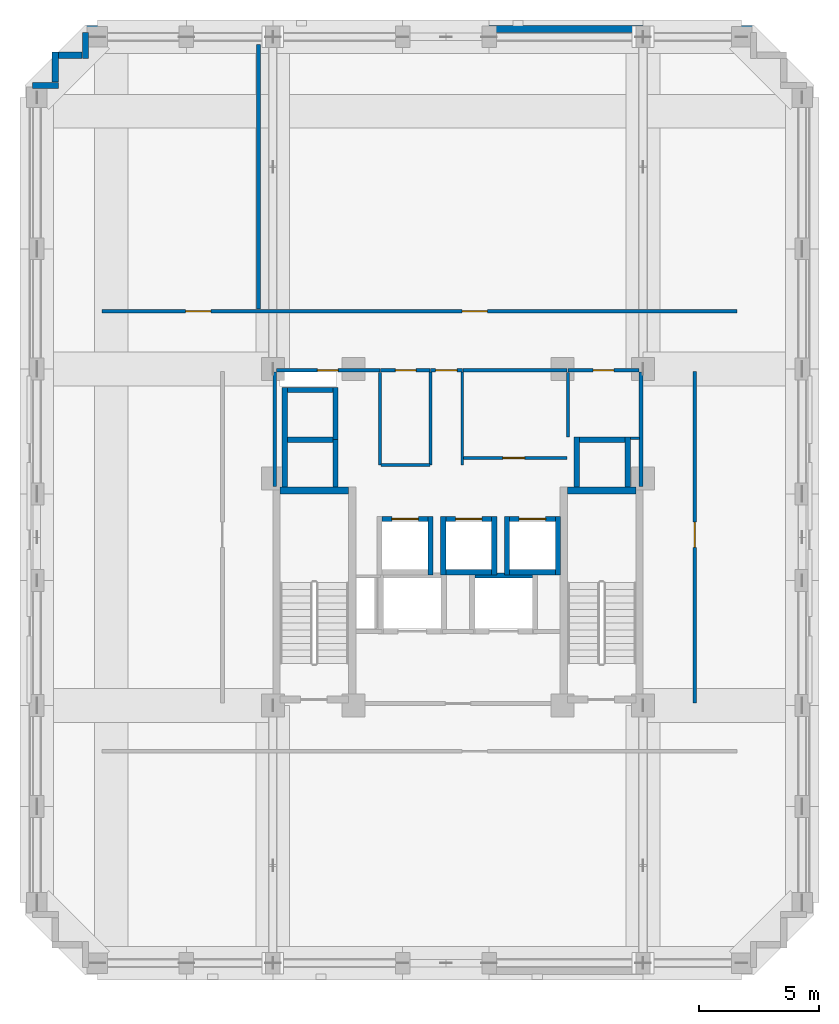
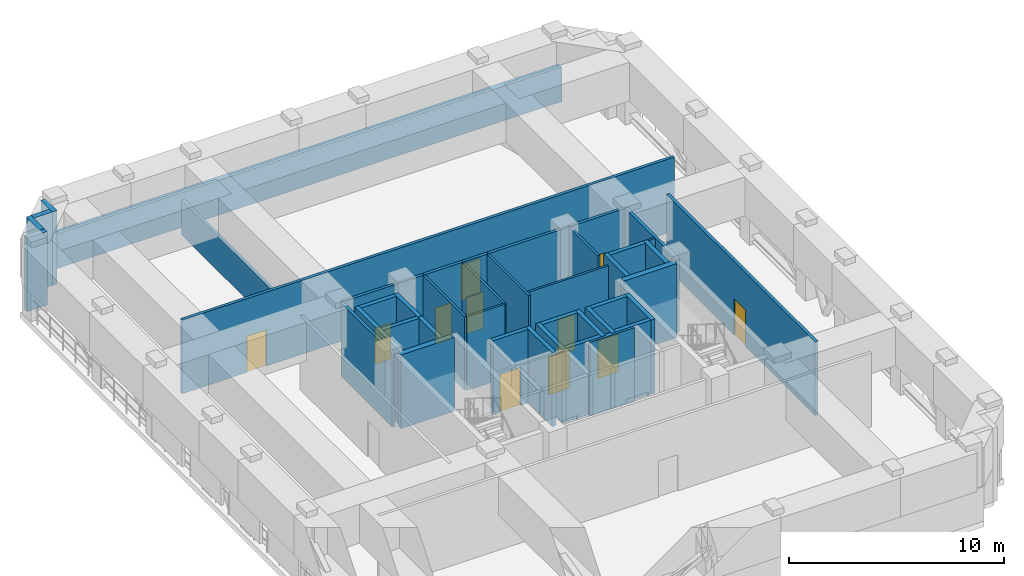
# One storey, part 4 of 12: 43 walls, 11 doors, 11 openings.
"""IFC4 building model written with IfcOpenShell, lengths in metres."""

from ifc_helpers import new_model, si_unit, derived_unit, direction, frame, frame_2d, origin, place, context, subcontext, project, spatial, rectangle, extrude, material, layer, layer_set, type_object, element, fill, save


model = new_model("IFC4")

# Units and contexts
model_context = context("Model", 3, precision=1e-05, world=origin(), true_north=direction((0.0, 1.0)))
body_context = subcontext(model_context, "Body", "Model", "MODEL_VIEW")
ifc_project = project(units=[si_unit("LENGTHUNIT", "METRE"), si_unit("AREAUNIT", "SQUARE_METRE"), si_unit("VOLUMEUNIT", "CUBIC_METRE"), si_unit("PLANEANGLEUNIT", "RADIAN"), si_unit("MASSUNIT", "GRAM", prefix="KILO"), derived_unit("THERMALTRANSMITTANCEUNIT", [(si_unit("MASSUNIT", "GRAM", prefix="KILO"), 1), (si_unit("TIMEUNIT", "SECOND"), -3), (si_unit("THERMODYNAMICTEMPERATUREUNIT", "KELVIN"), -1)])], contexts=[model_context])

# Site, building, storey
site_placement = place(None, origin())
site = spatial("IfcSite", under=ifc_project, at=site_placement, CompositionType="ELEMENT")
building_placement = place(site_placement, origin())
building = spatial("IfcBuilding", under=site, at=building_placement, Name="Korrvale Station Residences", CompositionType="ELEMENT")
storey_placement = place(building_placement, frame((0.0, 0.0, 169.89990234375)))
storey = spatial("IfcBuildingStorey", under=building, at=storey_placement, Name="L49", CompositionType="ELEMENT", Elevation=169.89990234375)

# Walls
ifc_material_1 = material(Name="Concrete C60/75", Category="concrete")
ifc_layer_1 = layer(ifc_material_1, 0.300048828125, Name="Concrete C60/75")
ifc_layer_set_1 = layer_set([ifc_layer_1], Name="Concrete C60/75")
wall_type_1 = type_object("IfcWallType", Name="WAL-CORE-300-C60", PredefinedType="SHEAR", material=ifc_layer_set_1)
for number, where, z_axis, x_axis, name in (
    (1, (18.10009765625, 23.949951171875, 0.0), (0.0, 0.0, 1.0), (1.0, 0.0, 0.0), "L49 ST-1 Core Shear Wall North"),
    (2, (30.050048828125, 23.949951171875, 0.0), (0.0, 0.0, 1.0), (1.0, 0.0, 0.0), "L49 ST-2 Core Shear Wall North"),
):
    element("IfcWall", number, at=place(storey_placement, frame(where, z_axis=z_axis, x_axis=x_axis)), inside=storey, type_object=wall_type_1, Name=name, PredefinedType="SHEAR", context=body_context, shape_type="SweptSolid", body=[
        extrude(rectangle(XDim=2.849853515625, YDim=0.300048828125, at=frame_2d((1.4248046875, 0.0))), origin(), (0.0, 0.0, 1.0), 4.18017578125),
    ])
ifc_material_2 = material(Name="Precast concrete C45/55", Category="concrete")
ifc_layer_2 = layer(ifc_material_2, 0.260009765625, Name="Precast concrete C45/55")
ifc_layer_set_2 = layer_set([ifc_layer_2], Name="Precast concrete C45/55")
wall_type_2 = type_object("IfcWallType", Name="WAL-EXT-LOG260", PredefinedType="SOLIDWALL", material=ifc_layer_set_2)
wall_1_placement = place(storey_placement, frame((7.802001953125, 40.800048828125, 0.0), z_axis=(0.0, 0.0, 1.0), x_axis=(1.0, 0.0, 0.0)))
element("IfcWall", 3, at=wall_1_placement, inside=storey, type_object=wall_type_2, Name="L49 Serrated Corner Precast Step NW-1", PredefinedType="SOLIDWALL", context=body_context, shape_type="SweptSolid", body=[
    extrude(rectangle(XDim=1.077880859375, YDim=0.260009765625, at=frame_2d((0.5390625, 0.0))), origin(), (0.0, 0.0, 1.0), 4.18017578125),
])
wall_2_placement = place(storey_placement, frame((8.75, 40.931884765625, 0.0), z_axis=(0.0, 0.0, 1.0), x_axis=(0.0, 1.0, 0.0)))
element("IfcWall", 4, at=wall_2_placement, inside=storey, type_object=wall_type_2, Name="L49 Serrated Corner Precast Step NW-2", PredefinedType="SOLIDWALL", context=body_context, shape_type="SweptSolid", body=[
    extrude(rectangle(XDim=1.248046875, YDim=0.260009765625, at=frame_2d((0.6240234375, 0.0))), origin(), (0.0, 0.0, 1.0), 4.18017578125),
])
wall_3_placement = place(storey_placement, frame((8.882080078125, 42.050048828125, 0.0), z_axis=(0.0, 0.0, 1.0), x_axis=(1.0, 0.0, 0.0)))
element("IfcWall", 5, at=wall_3_placement, inside=storey, type_object=wall_type_2, Name="L49 Serrated Corner Precast Step NW-3", PredefinedType="SOLIDWALL", context=body_context, shape_type="SweptSolid", body=[
    extrude(rectangle(XDim=0.98583984375, YDim=0.260009765625, at=frame_2d((0.492919921875, 0.0))), origin(), (0.0, 0.0, 1.0), 4.18017578125),
])
wall_4_placement = place(storey_placement, frame((10.0, 41.919921875, 0.0), z_axis=(0.0, 0.0, 1.0), x_axis=(0.0, 1.0, 0.0)))
element("IfcWall", 6, at=wall_4_placement, inside=storey, type_object=wall_type_2, Name="L49 Serrated Corner Precast Step NW-4", PredefinedType="SOLIDWALL", context=body_context, shape_type="SweptSolid", body=[
    extrude(rectangle(XDim=1.078125, YDim=0.260009765625, at=frame_2d((0.5390625, 0.0))), origin(), (0.0, 0.0, 1.0), 4.18017578125),
])
ifc_layer_3 = layer(ifc_material_2, 0.300048828125, Name="Precast concrete C45/55")
ifc_layer_set_3 = layer_set([ifc_layer_3], Name="Precast concrete C45/55")
wall_type_3 = type_object("IfcWallType", Name="WAL-EXT-PC300", PredefinedType="SOLIDWALL", material=ifc_layer_set_3)
wall_5_placement = place(storey_placement, frame((10.0, 43.14990234375, 0.0), z_axis=(0.0, 0.0, 1.0), x_axis=(1.0, 0.0, 0.0)))
element("IfcWall", 7, at=wall_5_placement, inside=storey, type_object=wall_type_3, Name="L49 North Exterior Precast Wall 1", PredefinedType="SOLIDWALL", context=body_context, shape_type="SweptSolid", body=[
    extrude(rectangle(XDim=27.800048828125, YDim=0.300048828125, at=frame_2d((13.89990234375, 0.0))), origin(), (0.0, 0.0, 1.0), 1.965087890625),
])
ifc_material_3 = material(Name="Acoustic steel-stud gypsum board partition", Category="steel")
ifc_layer_4 = layer(ifc_material_3, 0.1201171875, Name="Acoustic steel-stud gypsum board partition")
ifc_layer_set_4 = layer_set([ifc_layer_4], Name="Acoustic steel-stud gypsum board partition")
wall_type_4 = type_object("IfcWallType", Name="WAL-PART-125", PredefinedType="PARTITIONING", material=ifc_layer_set_4)
for number, where, z_axis, x_axis, name in (
    (8, (24.360107421875, 25.0, 0.0), (0.0, 0.0, 1.0), (0.0, 1.0, 0.0), "L49 Core Partition CW-PSG-W"),
    (9, (25.679931640625, 25.0, 0.0), (0.0, 0.0, 1.0), (0.0, 1.0, 0.0), "L49 Core Partition CW-PSG-E"),
):
    element("IfcWall", number, at=place(storey_placement, frame(where, z_axis=z_axis, x_axis=x_axis)), inside=storey, type_object=wall_type_4, Name=name, PredefinedType="PARTITIONING", context=body_context, shape_type="SweptSolid", body=[
        extrude(rectangle(XDim=3.8701171875, YDim=0.1201171875, at=frame_2d((1.93505859375, 0.0))), origin(), (0.0, 0.0, 1.0), 4.18017578125),
    ])
wall_6_placement = place(storey_placement, frame((30.080078125, 26.179931640625, 0.0), z_axis=(0.0, 0.0, 1.0), x_axis=(0.0, 1.0, 0.0)))
element("IfcWall", 10, at=wall_6_placement, inside=storey, type_object=wall_type_4, Name="L49 Core Partition CW-CS-W", PredefinedType="PARTITIONING", context=body_context, shape_type="SweptSolid", body=[
    extrude(rectangle(XDim=2.68017578125, YDim=0.1201171875, at=frame_2d((1.340087890625, 0.0))), origin(), (0.0, 0.0, 1.0), 4.18017578125),
])
wall_7_placement = place(storey_placement, frame((32.679931640625, 26.1201171875, 0.0), z_axis=(0.0, 0.0, 1.0), x_axis=(1.0, 0.0, 0.0)))
element("IfcWall", 11, at=wall_7_placement, inside=storey, type_object=wall_type_4, Name="L49 Core Partition CW-CS-S", PredefinedType="PARTITIONING", context=body_context, shape_type="SweptSolid", body=[
    extrude(rectangle(XDim=0.380126953125, YDim=0.1201171875, at=frame_2d((0.18994140625, 0.0))), origin(), (0.0, 0.0, 1.0), 4.18017578125),
])
wall_8_placement = place(storey_placement, frame((22.260009765625, 25.0, 0.0), z_axis=(0.0, 0.0, 1.0), x_axis=(0.0, 1.0, 0.0)))
element("IfcWall", 12, at=wall_8_placement, inside=storey, type_object=wall_type_4, Name="L49 Core Partition CW-FPLW-W", PredefinedType="PARTITIONING", context=body_context, shape_type="SweptSolid", body=[
    extrude(rectangle(XDim=3.860107421875, YDim=0.1201171875, at=frame_2d((1.93017578125, 0.0))), origin(), (0.0, 0.0, 1.0), 4.18017578125),
])
wall_9_placement = place(storey_placement, frame((22.300048828125, 25.0, 0.0), z_axis=(0.0, 0.0, 1.0), x_axis=(1.0, 0.0, 0.0)))
element("IfcWall", 13, at=wall_9_placement, inside=storey, type_object=wall_type_4, Name="L49 Core Partition CW-FPLW-S", PredefinedType="PARTITIONING", context=body_context, shape_type="SweptSolid", body=[
    extrude(rectangle(XDim=2.0400390625, YDim=0.1201171875, at=frame_2d((1.02001953125, 0.0))), origin(), (0.0, 0.0, 1.0), 4.18017578125),
])

# Wall, opening, door
wall_10_placement = place(storey_placement, frame((25.719970703125, 25.300048828125, 0.0), z_axis=(0.0, 0.0, 1.0), x_axis=(1.0, 0.0, 0.0)))
wall_10 = element("IfcWall", 14, at=wall_10_placement, inside=storey, type_object=wall_type_4, Name="L49 Core Partition CW-FPLE-S", PredefinedType="PARTITIONING", context=body_context, shape_type="SweptSolid", body=[
    extrude(rectangle(XDim=4.320068359375, YDim=0.1201171875, at=frame_2d((2.16015625, 0.0))), origin(), (0.0, 0.0, 1.0), 4.18017578125),
])
opening_1_placement = place(wall_10_placement, frame((1.64990234375, 0.0, 0.0)))
opening_1 = element("IfcOpeningElement", 15, at=opening_1_placement, cuts=wall_10, Name="Opening DI-900", PredefinedType="OPENING", context=body_context, shape_type="SweptSolid", body=[
    extrude(rectangle(XDim=0.89990234375, YDim=2.050048828125, at=frame_2d((0.449951171875, 1.02490234375))), frame((0.0, 0.070068359375, 0.0), z_axis=(0.0, -1.0, 0.0), x_axis=(1.0, 0.0, 0.0)), (0.0, 0.0, 1.0), 0.14013671875),
])
ifc_material_4 = material(Name="Painted solid-core timber interior room door", Category="wood")
door_type_1 = type_object("IfcDoorType", Name="DR-INT-900", OperationType="NOTDEFINED", PredefinedType="DOOR", material=ifc_material_4)
door_1_placement = place(opening_1_placement, origin())
door_1 = element("IfcDoor", 16, at=door_1_placement, inside=storey, type_object=door_type_1, Name="L49 Housekeeping Linen Door", OperationType="SINGLE_SWING_RIGHT", OverallHeight=2.050048828125, OverallWidth=0.89990234375, PredefinedType="DOOR", context=body_context, shape_type="SweptSolid", body=[
    extrude(rectangle(XDim=0.89990234375, YDim=2.050048828125, at=frame_2d((0.449951171875, 1.02490234375))), frame((0.0, 0.02490234375, 0.0), z_axis=(0.0, -1.0, 0.0), x_axis=(1.0, 0.0, 0.0)), (0.0, 0.0, 1.0), 0.050048828125),
])
fill(opening_1, door_1)

# Walls
ifc_material_5 = material(Name="Fire-rated twin-stud gypsum and mineral wool shaftwall assembly", Category="gypsum")
ifc_layer_5 = layer(ifc_material_5, 0.159912109375, Name="Fire-rated twin-stud gypsum and mineral wool shaftwall assembly")
ifc_layer_set_5 = layer_set([ifc_layer_5], Name="Fire-rated twin-stud gypsum and mineral wool shaftwall assembly")
wall_type_5 = type_object("IfcWallType", Name="WAL-PART-200", PredefinedType="PARTITIONING", material=ifc_layer_set_5)
for number, where, z_axis, x_axis, name in (
    (17, (17.8798828125, 24.1201171875, 0.0), (0.0, 0.0, 1.0), (0.0, 1.0, 0.0), "L49 Core Partition CW-W-N"),
    (18, (33.1201171875, 24.1201171875, 0.0), (0.0, 0.0, 1.0), (0.0, 1.0, 0.0), "L49 Core Partition CW-E-N"),
):
    element("IfcWall", number, at=place(storey_placement, frame(where, z_axis=z_axis, x_axis=x_axis)), inside=storey, type_object=wall_type_5, Name=name, PredefinedType="PARTITIONING", context=body_context, shape_type="SweptSolid", body=[
        extrude(rectangle(XDim=4.759765625, YDim=0.159912109375, at=frame_2d((2.3798828125, 0.0))), origin(), (0.0, 0.0, 1.0), 4.18017578125),
    ])

# Wall, opening, door
wall_11_placement = place(storey_placement, frame((24.360107421875, 28.949951171875, 0.0), z_axis=(0.0, 0.0, 1.0), x_axis=(1.0, 0.0, 0.0)))
wall_11 = element("IfcWall", 19, at=wall_11_placement, inside=storey, type_object=wall_type_5, Name="L49 Core Partition CW-LLOB-N", PredefinedType="PARTITIONING", context=body_context, shape_type="SweptSolid", body=[
    extrude(rectangle(XDim=1.31982421875, YDim=0.159912109375, at=frame_2d((0.659912109375, 0.0))), origin(), (0.0, 0.0, 1.0), 4.18017578125),
])
opening_2_placement = place(wall_11_placement, frame((0.2099609375, 0.0, 0.0)))
opening_2 = element("IfcOpeningElement", 20, at=opening_2_placement, cuts=wall_11, Name="Opening DI-900", PredefinedType="OPENING", context=body_context, shape_type="SweptSolid", body=[
    extrude(rectangle(XDim=0.89990234375, YDim=2.050048828125, at=frame_2d((0.449951171875, 1.02490234375))), frame((0.0, 0.08984375, 0.0), z_axis=(0.0, -1.0, 0.0), x_axis=(1.0, 0.0, 0.0)), (0.0, 0.0, 1.0), 0.179931640625),
])
door_2_placement = place(opening_2_placement, origin())
door_2 = element("IfcDoor", 21, at=door_2_placement, inside=storey, type_object=door_type_1, Name="L49 Central Hallway North Passage Door", OperationType="SINGLE_SWING_LEFT", OverallHeight=2.050048828125, OverallWidth=0.89990234375, PredefinedType="DOOR", context=body_context, shape_type="SweptSolid", body=[
    extrude(rectangle(XDim=0.89990234375, YDim=2.050048828125, at=frame_2d((0.449951171875, 1.02490234375))), frame((0.0, 0.02490234375, 0.0), z_axis=(0.0, -1.0, 0.0), x_axis=(1.0, 0.0, 0.0)), (0.0, 0.0, 1.0), 0.050048828125),
])
fill(opening_2, door_2)

wall_12_placement = place(storey_placement, frame((17.9599609375, 28.949951171875, 0.0), z_axis=(0.0, 0.0, 1.0), x_axis=(1.0, 0.0, 0.0)))
wall_12 = element("IfcWall", 22, at=wall_12_placement, inside=storey, type_object=wall_type_5, Name="L49 Core Partition CW-NW", PredefinedType="PARTITIONING", context=body_context, shape_type="SweptSolid", body=[
    extrude(rectangle(XDim=4.2900390625, YDim=0.159912109375, at=frame_2d((2.14501953125, 0.0))), origin(), (0.0, 0.0, 1.0), 4.18017578125),
])
opening_3_placement = place(wall_12_placement, frame((1.695068359375, 0.0, 0.0)))
opening_3 = element("IfcOpeningElement", 23, at=opening_3_placement, cuts=wall_12, Name="Opening DB-860", PredefinedType="OPENING", context=body_context, shape_type="SweptSolid", body=[
    extrude(rectangle(XDim=0.860107421875, YDim=2.050048828125, at=frame_2d((0.43017578125, 1.02490234375))), frame((0.0, 0.08984375, 0.0), z_axis=(0.0, -1.0, 0.0), x_axis=(1.0, 0.0, 0.0)), (0.0, 0.0, 1.0), 0.179931640625),
])
ifc_material_6 = material(Name="Moisture-resistant solid-core bathroom door", Category="timber")
door_type_2 = type_object("IfcDoorType", Name="DR-BATH-860", OperationType="NOTDEFINED", PredefinedType="DOOR", material=ifc_material_6)
door_3_placement = place(opening_3_placement, origin())
door_3 = element("IfcDoor", 24, at=door_3_placement, inside=storey, type_object=door_type_2, Name="L49 Electrical Riser Access Door", OperationType="SINGLE_SWING_RIGHT", OverallHeight=2.050048828125, OverallWidth=0.860107421875, PredefinedType="DOOR", context=body_context, shape_type="SweptSolid", body=[
    extrude(rectangle(XDim=0.860107421875, YDim=2.050048828125, at=frame_2d((0.43017578125, 1.02490234375))), frame((0.0, 0.02490234375, 0.0), z_axis=(0.0, -1.0, 0.0), x_axis=(1.0, 0.0, 0.0)), (0.0, 0.0, 1.0), 0.050048828125),
])
fill(opening_3, door_3)

wall_13_placement = place(storey_placement, frame((22.280029296875, 28.949951171875, 0.0), z_axis=(0.0, 0.0, 1.0), x_axis=(1.0, 0.0, 0.0)))
wall_13 = element("IfcWall", 25, at=wall_13_placement, inside=storey, type_object=wall_type_5, Name="L49 Core Partition CW-FPLW-N", PredefinedType="PARTITIONING", context=body_context, shape_type="SweptSolid", body=[
    extrude(rectangle(XDim=2.06005859375, YDim=0.159912109375, at=frame_2d((1.030029296875, 0.0))), origin(), (0.0, 0.0, 1.0), 4.18017578125),
])
opening_4_placement = place(wall_13_placement, frame((0.6201171875, 0.0, 0.0)))
opening_4 = element("IfcOpeningElement", 26, at=opening_4_placement, cuts=wall_13, Name="Opening DB-860", PredefinedType="OPENING", context=body_context, shape_type="SweptSolid", body=[
    extrude(rectangle(XDim=0.860107421875, YDim=2.050048828125, at=frame_2d((0.43017578125, 1.02490234375))), frame((0.0, 0.08984375, 0.0), z_axis=(0.0, -1.0, 0.0), x_axis=(1.0, 0.0, 0.0)), (0.0, 0.0, 1.0), 0.179931640625),
])
door_4_placement = place(opening_4_placement, origin())
door_4 = element("IfcDoor", 27, at=door_4_placement, inside=storey, type_object=door_type_2, Name="L49 Resident Parcel Room Door", OperationType="SINGLE_SWING_LEFT", OverallHeight=2.050048828125, OverallWidth=0.860107421875, PredefinedType="DOOR", context=body_context, shape_type="SweptSolid", body=[
    extrude(rectangle(XDim=0.860107421875, YDim=2.050048828125, at=frame_2d((0.43017578125, 1.02490234375))), frame((0.0, 0.02490234375, 0.0), z_axis=(0.0, -1.0, 0.0), x_axis=(1.0, 0.0, 0.0)), (0.0, 0.0, 1.0), 0.050048828125),
])
fill(opening_4, door_4)

# Wall
wall_14_placement = place(storey_placement, frame((25.719970703125, 28.949951171875, 0.0), z_axis=(0.0, 0.0, 1.0), x_axis=(1.0, 0.0, 0.0)))
element("IfcWall", 28, at=wall_14_placement, inside=storey, type_object=wall_type_5, Name="L49 Core Partition CW-FPLE-N", PredefinedType="PARTITIONING", context=body_context, shape_type="SweptSolid", body=[
    extrude(rectangle(XDim=4.320068359375, YDim=0.159912109375, at=frame_2d((2.16015625, 0.0))), origin(), (0.0, 0.0, 1.0), 4.18017578125),
])

# Wall, opening, door
wall_15_placement = place(storey_placement, frame((30.080078125, 28.949951171875, 0.0), z_axis=(0.0, 0.0, 1.0), x_axis=(1.0, 0.0, 0.0)))
wall_15 = element("IfcWall", 29, at=wall_15_placement, inside=storey, type_object=wall_type_5, Name="L49 Core Partition CW-CS-N", PredefinedType="PARTITIONING", context=body_context, shape_type="SweptSolid", body=[
    extrude(rectangle(XDim=2.9599609375, YDim=0.159912109375, at=frame_2d((1.47998046875, 0.0))), origin(), (0.0, 0.0, 1.0), 4.18017578125),
])
opening_5_placement = place(wall_15_placement, frame((1.044921875, 0.0, 0.0)))
opening_5 = element("IfcOpeningElement", 30, at=opening_5_placement, cuts=wall_15, Name="Opening DB-860", PredefinedType="OPENING", context=body_context, shape_type="SweptSolid", body=[
    extrude(rectangle(XDim=0.860107421875, YDim=2.050048828125, at=frame_2d((0.43017578125, 1.02490234375))), frame((0.0, 0.08984375, 0.0), z_axis=(0.0, -1.0, 0.0), x_axis=(1.0, 0.0, 0.0)), (0.0, 0.0, 1.0), 0.179931640625),
])
door_5_placement = place(opening_5_placement, origin())
door_5 = element("IfcDoor", 31, at=door_5_placement, inside=storey, type_object=door_type_2, Name="L49 Core Equipment Room Door", OperationType="SINGLE_SWING_LEFT", OverallHeight=2.050048828125, OverallWidth=0.860107421875, PredefinedType="DOOR", context=body_context, shape_type="SweptSolid", body=[
    extrude(rectangle(XDim=0.860107421875, YDim=2.050048828125, at=frame_2d((0.43017578125, 1.02490234375))), frame((0.0, 0.02490234375, 0.0), z_axis=(0.0, -1.0, 0.0), x_axis=(1.0, 0.0, 0.0)), (0.0, 0.0, 1.0), 0.050048828125),
])
fill(opening_5, door_5)

# Wall, openings, doors
wall_16_placement = place(storey_placement, frame((10.699951171875, 31.39990234375, 0.0), z_axis=(0.0, 0.0, 1.0), x_axis=(1.0, 0.0, 0.0)))
wall_16 = element("IfcWall", 32, at=wall_16_placement, inside=storey, type_object=wall_type_5, Name="L49 Interior Partition W-RN", PredefinedType="PARTITIONING", context=body_context, shape_type="SweptSolid", body=[
    extrude(rectangle(XDim=26.400146484375, YDim=0.159912109375, at=frame_2d((13.2001953125, 0.0))), origin(), (0.0, 0.0, 1.0), 4.18017578125),
])
opening_6_placement = place(wall_16_placement, frame((3.47509765625, 0.0, 0.0)))
opening_6 = element("IfcOpeningElement", 33, at=opening_6_placement, cuts=wall_16, Name="Opening FD-1050", PredefinedType="OPENING", context=body_context, shape_type="SweptSolid", body=[
    extrude(rectangle(XDim=1.050048828125, YDim=2.050048828125, at=frame_2d((0.52490234375, 1.02490234375))), frame((0.0, 0.08984375, 0.0), z_axis=(0.0, -1.0, 0.0), x_axis=(1.0, 0.0, 0.0)), (0.0, 0.0, 1.0), 0.179931640625),
])
opening_7_placement = place(wall_16_placement, frame((14.97509765625, 0.0, 0.0)))
opening_7 = element("IfcOpeningElement", 34, at=opening_7_placement, cuts=wall_16, Name="Opening FD-1050", PredefinedType="OPENING", context=body_context, shape_type="SweptSolid", body=[
    extrude(rectangle(XDim=1.050048828125, YDim=2.050048828125, at=frame_2d((0.52490234375, 1.02490234375))), frame((0.0, 0.08984375, 0.0), z_axis=(0.0, -1.0, 0.0), x_axis=(1.0, 0.0, 0.0)), (0.0, 0.0, 1.0), 0.179931640625),
])
ifc_material_7 = material(Name="Fire-rated mineral-core timber lobby door", Category="wood")
door_type_3 = type_object("IfcDoorType", Name="DR-CORE-1050", OperationType="NOTDEFINED", PredefinedType="DOOR", material=ifc_material_7)
door_6_placement = place(opening_6_placement, origin())
door_6 = element("IfcDoor", 35, at=door_6_placement, inside=storey, type_object=door_type_3, Name="L49 Zone Substation Door", OperationType="SINGLE_SWING_LEFT", OverallHeight=2.050048828125, OverallWidth=1.050048828125, PredefinedType="DOOR", context=body_context, shape_type="SweptSolid", body=[
    extrude(rectangle(XDim=1.050048828125, YDim=2.050048828125, at=frame_2d((0.52490234375, 1.02490234375))), frame((0.0, 0.02490234375, 0.0), z_axis=(0.0, -1.0, 0.0), x_axis=(1.0, 0.0, 0.0)), (0.0, 0.0, 1.0), 0.050048828125),
])
fill(opening_6, door_6)
door_7_placement = place(opening_7_placement, origin())
door_7 = element("IfcDoor", 36, at=door_7_placement, inside=storey, type_object=door_type_3, Name="L49 Zone AHU Plant Door", OperationType="SINGLE_SWING_RIGHT", OverallHeight=2.050048828125, OverallWidth=1.050048828125, PredefinedType="DOOR", context=body_context, shape_type="SweptSolid", body=[
    extrude(rectangle(XDim=1.050048828125, YDim=2.050048828125, at=frame_2d((0.52490234375, 1.02490234375))), frame((0.0, 0.02490234375, 0.0), z_axis=(0.0, -1.0, 0.0), x_axis=(1.0, 0.0, 0.0)), (0.0, 0.0, 1.0), 0.050048828125),
])
fill(opening_7, door_7)

# Wall
wall_17_placement = place(storey_placement, frame((17.199951171875, 31.5, 0.0), z_axis=(0.0, 0.0, 1.0), x_axis=(0.0, 1.0, 0.0)))
element("IfcWall", 37, at=wall_17_placement, inside=storey, type_object=wall_type_5, Name="L49 Interior Partition W-RM", PredefinedType="PARTITIONING", context=body_context, shape_type="SweptSolid", body=[
    extrude(rectangle(XDim=11.0, YDim=0.159912109375, at=frame_2d((5.5, 0.0))), origin(), (0.0, 0.0, 1.0), 1.965087890625),
])

# Wall, opening, door
wall_18_placement = place(storey_placement, frame((35.35009765625, 15.10009765625, 0.0), z_axis=(0.0, 0.0, 1.0), x_axis=(0.0, 1.0, 0.0)))
wall_18 = element("IfcWall", 38, at=wall_18_placement, inside=storey, type_object=wall_type_5, Name="L49 Interior Partition W-RE", PredefinedType="PARTITIONING", context=body_context, shape_type="SweptSolid", body=[
    extrude(rectangle(XDim=13.7998046875, YDim=0.159912109375, at=frame_2d((6.89990234375, 0.0))), origin(), (0.0, 0.0, 1.0), 4.18017578125),
])
opening_8_placement = place(wall_18_placement, frame((6.47509765625, 0.0, 0.0)))
opening_8 = element("IfcOpeningElement", 39, at=opening_8_placement, cuts=wall_18, Name="Opening FD-1050", PredefinedType="OPENING", context=body_context, shape_type="SweptSolid", body=[
    extrude(rectangle(XDim=1.050048828125, YDim=2.050048828125, at=frame_2d((0.52490234375, 1.02490234375))), frame((0.0, 0.08984375, 0.0), z_axis=(0.0, -1.0, 0.0), x_axis=(1.0, 0.0, 0.0)), (0.0, 0.0, 1.0), 0.179931640625),
])
door_8_placement = place(opening_8_placement, origin())
door_8 = element("IfcDoor", 40, at=door_8_placement, inside=storey, type_object=door_type_3, Name="L49 East Refuge Area Fire Door", OperationType="SINGLE_SWING_RIGHT", OverallHeight=2.050048828125, OverallWidth=1.050048828125, PredefinedType="DOOR", context=body_context, shape_type="SweptSolid", body=[
    extrude(rectangle(XDim=1.050048828125, YDim=2.050048828125, at=frame_2d((0.52490234375, 1.02490234375))), frame((0.0, 0.02490234375, 0.0), z_axis=(0.0, -1.0, 0.0), x_axis=(1.0, 0.0, 0.0)), (0.0, 0.0, 1.0), 0.050048828125),
])
fill(opening_8, door_8)

ifc_layer_6 = layer(ifc_material_1, 0.219970703125, Name="Concrete C60/75")
ifc_layer_set_6 = layer_set([ifc_layer_6], Name="Concrete C60/75")
wall_type_6 = type_object("IfcWallType", Name="WAL-SHAFT-220-C60", PredefinedType="SHEAR", material=ifc_layer_set_6)
wall_19_placement = place(storey_placement, frame((22.35009765625, 22.760009765625, 0.0), z_axis=(0.0, 0.0, 1.0), x_axis=(1.0, 0.0, 0.0)))
wall_19 = element("IfcWall", 41, at=wall_19_placement, inside=storey, type_object=wall_type_6, Name="L49 Elevator PM-1 Hoistway Wall North", PredefinedType="SHEAR", context=body_context, shape_type="SweptSolid", body=[
    extrude(rectangle(XDim=1.89990234375, YDim=0.219970703125, at=frame_2d((0.949951171875, 0.0))), origin(), (0.0, 0.0, 1.0), 4.18017578125),
])
opening_9_placement = place(wall_19_placement, frame((0.39990234375, 0.0, 0.0)))
opening_9 = element("IfcOpeningElement", 42, at=opening_9_placement, cuts=wall_19, Name="Opening LD-1100", PredefinedType="OPENING", context=body_context, shape_type="SweptSolid", body=[
    extrude(rectangle(XDim=1.10009765625, YDim=2.14990234375, at=frame_2d((0.550048828125, 1.074951171875))), frame((0.0, 0.1201171875, 0.0), z_axis=(0.0, -1.0, 0.0), x_axis=(1.0, 0.0, 0.0)), (0.0, 0.0, 1.0), 0.239990234375),
])
ifc_material_8 = material(Name="Brushed stainless-steel elevator landing sliding door", Category="steel")
door_type_4 = type_object("IfcDoorType", Name="DR-LIFT-1100", OperationType="SLIDING_TO_LEFT", PredefinedType="DOOR", material=ifc_material_8)
door_9_placement = place(opening_9_placement, origin())
door_9 = element("IfcDoor", 43, at=door_9_placement, inside=storey, type_object=door_type_4, Name="L49 Elevator PM-1 Sliding Landing Door", OperationType="SLIDING_TO_LEFT", OverallHeight=2.14990234375, OverallWidth=1.10009765625, PredefinedType="DOOR", context=body_context, shape_type="SweptSolid", body=[
    extrude(rectangle(XDim=1.10009765625, YDim=2.14990234375, at=frame_2d((0.550048828125, 1.074951171875))), frame((0.0, 0.02490234375, 0.0), z_axis=(0.0, -1.0, 0.0), x_axis=(1.0, 0.0, 0.0)), (0.0, 0.0, 1.0), 0.050048828125),
])
fill(opening_9, door_9)

# Walls
wall_20_placement = place(storey_placement, frame((24.360107421875, 20.429931640625, 0.0), z_axis=(0.0, 0.0, 1.0), x_axis=(0.0, 1.0, 0.0)))
element("IfcWall", 44, at=wall_20_placement, inside=storey, type_object=wall_type_6, Name="L49 Elevator PM-1 Hoistway Wall East", PredefinedType="SHEAR", context=body_context, shape_type="SweptSolid", body=[
    extrude(rectangle(XDim=2.440185546875, YDim=0.219970703125, at=frame_2d((1.22021484375, 0.0))), origin(), (0.0, 0.0, 1.0), 4.18017578125),
])
wall_21_placement = place(storey_placement, frame((25.0, 20.5400390625, 0.0), z_axis=(0.0, 0.0, 1.0), x_axis=(1.0, 0.0, 0.0)))
element("IfcWall", 45, at=wall_21_placement, inside=storey, type_object=wall_type_6, Name="L49 Elevator PM-2 Hoistway Wall South", PredefinedType="SHEAR", context=body_context, shape_type="SweptSolid", body=[
    extrude(rectangle(XDim=1.89990234375, YDim=0.219970703125, at=frame_2d((0.949951171875, 0.0))), origin(), (0.0, 0.0, 1.0), 4.18017578125),
])

# Wall, opening, door
wall_22_placement = place(storey_placement, frame((25.0, 22.760009765625, 0.0), z_axis=(0.0, 0.0, 1.0), x_axis=(1.0, 0.0, 0.0)))
wall_22 = element("IfcWall", 46, at=wall_22_placement, inside=storey, type_object=wall_type_6, Name="L49 Elevator PM-2 Hoistway Wall North", PredefinedType="SHEAR", context=body_context, shape_type="SweptSolid", body=[
    extrude(rectangle(XDim=1.89990234375, YDim=0.219970703125, at=frame_2d((0.949951171875, 0.0))), origin(), (0.0, 0.0, 1.0), 4.18017578125),
])
opening_10_placement = place(wall_22_placement, frame((0.39990234375, 0.0, 0.0)))
opening_10 = element("IfcOpeningElement", 47, at=opening_10_placement, cuts=wall_22, Name="Opening LD-1100", PredefinedType="OPENING", context=body_context, shape_type="SweptSolid", body=[
    extrude(rectangle(XDim=1.10009765625, YDim=2.14990234375, at=frame_2d((0.550048828125, 1.074951171875))), frame((0.0, 0.1201171875, 0.0), z_axis=(0.0, -1.0, 0.0), x_axis=(1.0, 0.0, 0.0)), (0.0, 0.0, 1.0), 0.239990234375),
])
door_10_placement = place(opening_10_placement, origin())
door_10 = element("IfcDoor", 48, at=door_10_placement, inside=storey, type_object=door_type_4, Name="L49 Elevator PM-2 Sliding Landing Door", OperationType="SLIDING_TO_LEFT", OverallHeight=2.14990234375, OverallWidth=1.10009765625, PredefinedType="DOOR", context=body_context, shape_type="SweptSolid", body=[
    extrude(rectangle(XDim=1.10009765625, YDim=2.14990234375, at=frame_2d((0.550048828125, 1.074951171875))), frame((0.0, 0.02490234375, 0.0), z_axis=(0.0, -1.0, 0.0), x_axis=(1.0, 0.0, 0.0)), (0.0, 0.0, 1.0), 0.050048828125),
])
fill(opening_10, door_10)

# Walls
for number, where, z_axis, x_axis, name in (
    (49, (24.889892578125, 20.429931640625, 0.0), (0.0, 0.0, 1.0), (0.0, 1.0, 0.0), "L49 Elevator PM-2 Hoistway Wall West"),
    (50, (27.010009765625, 20.429931640625, 0.0), (0.0, 0.0, 1.0), (0.0, 1.0, 0.0), "L49 Elevator PM-2 Hoistway Wall East"),
):
    element("IfcWall", number, at=place(storey_placement, frame(where, z_axis=z_axis, x_axis=x_axis)), inside=storey, type_object=wall_type_6, Name=name, PredefinedType="SHEAR", context=body_context, shape_type="SweptSolid", body=[
        extrude(rectangle(XDim=2.440185546875, YDim=0.219970703125, at=frame_2d((1.22021484375, 0.0))), origin(), (0.0, 0.0, 1.0), 4.18017578125),
    ])
wall_23_placement = place(storey_placement, frame((27.64990234375, 20.5400390625, 0.0), z_axis=(0.0, 0.0, 1.0), x_axis=(1.0, 0.0, 0.0)))
element("IfcWall", 51, at=wall_23_placement, inside=storey, type_object=wall_type_6, Name="L49 Elevator PM-3 Hoistway Wall South", PredefinedType="SHEAR", context=body_context, shape_type="SweptSolid", body=[
    extrude(rectangle(XDim=1.900146484375, YDim=0.219970703125, at=frame_2d((0.9501953125, 0.0))), origin(), (0.0, 0.0, 1.0), 4.18017578125),
])

# Wall, opening, door
wall_24_placement = place(storey_placement, frame((27.64990234375, 22.760009765625, 0.0), z_axis=(0.0, 0.0, 1.0), x_axis=(1.0, 0.0, 0.0)))
wall_24 = element("IfcWall", 52, at=wall_24_placement, inside=storey, type_object=wall_type_6, Name="L49 Elevator PM-3 Hoistway Wall North", PredefinedType="SHEAR", context=body_context, shape_type="SweptSolid", body=[
    extrude(rectangle(XDim=1.900146484375, YDim=0.219970703125, at=frame_2d((0.9501953125, 0.0))), origin(), (0.0, 0.0, 1.0), 4.18017578125),
])
opening_11_placement = place(wall_24_placement, frame((0.39990234375, 0.0, 0.0)))
opening_11 = element("IfcOpeningElement", 53, at=opening_11_placement, cuts=wall_24, Name="Opening LD-1100", PredefinedType="OPENING", context=body_context, shape_type="SweptSolid", body=[
    extrude(rectangle(XDim=1.10009765625, YDim=2.14990234375, at=frame_2d((0.550048828125, 1.074951171875))), frame((0.0, 0.1201171875, 0.0), z_axis=(0.0, -1.0, 0.0), x_axis=(1.0, 0.0, 0.0)), (0.0, 0.0, 1.0), 0.239990234375),
])
door_11_placement = place(opening_11_placement, origin())
door_11 = element("IfcDoor", 54, at=door_11_placement, inside=storey, type_object=door_type_4, Name="L49 Elevator PM-3 Sliding Landing Door", OperationType="SLIDING_TO_LEFT", OverallHeight=2.14990234375, OverallWidth=1.10009765625, PredefinedType="DOOR", context=body_context, shape_type="SweptSolid", body=[
    extrude(rectangle(XDim=1.10009765625, YDim=2.14990234375, at=frame_2d((0.550048828125, 1.074951171875))), frame((0.0, 0.02490234375, 0.0), z_axis=(0.0, -1.0, 0.0), x_axis=(1.0, 0.0, 0.0)), (0.0, 0.0, 1.0), 0.050048828125),
])
fill(opening_11, door_11)

# Walls
for number, where, z_axis, x_axis, name in (
    (55, (27.5400390625, 20.429931640625, 0.0), (0.0, 0.0, 1.0), (0.0, 1.0, 0.0), "L49 Elevator PM-3 Hoistway Wall West"),
    (56, (29.659912109375, 20.429931640625, 0.0), (0.0, 0.0, 1.0), (0.0, 1.0, 0.0), "L49 Elevator PM-3 Hoistway Wall East"),
):
    element("IfcWall", number, at=place(storey_placement, frame(where, z_axis=z_axis, x_axis=x_axis)), inside=storey, type_object=wall_type_6, Name=name, PredefinedType="SHEAR", context=body_context, shape_type="SweptSolid", body=[
        extrude(rectangle(XDim=2.440185546875, YDim=0.219970703125, at=frame_2d((1.22021484375, 0.0))), origin(), (0.0, 0.0, 1.0), 4.18017578125),
    ])
wall_25_placement = place(storey_placement, frame((18.2900390625, 24.10009765625, 0.0), z_axis=(0.0, 0.0, 1.0), x_axis=(0.0, 1.0, 0.0)))
element("IfcWall", 57, at=wall_25_placement, inside=storey, type_object=wall_type_6, Name="L49 Elevator PH-1 Hoistway Wall West", PredefinedType="SHEAR", context=body_context, shape_type="SweptSolid", body=[
    extrude(rectangle(XDim=4.139892578125, YDim=0.219970703125, at=frame_2d((2.06982421875, 0.0))), origin(), (0.0, 0.0, 1.0), 4.18017578125),
])
wall_26_placement = place(storey_placement, frame((20.409912109375, 24.10009765625, 0.0), z_axis=(0.0, 0.0, 1.0), x_axis=(0.0, 1.0, 0.0)))
element("IfcWall", 58, at=wall_26_placement, inside=storey, type_object=wall_type_6, Name="L49 Elevator PH-1 Hoistway Wall East", PredefinedType="SHEAR", context=body_context, shape_type="SweptSolid", body=[
    extrude(rectangle(XDim=1.9599609375, YDim=0.219970703125, at=frame_2d((0.97998046875, 0.0))), origin(), (0.0, 0.0, 1.0), 4.18017578125),
])
for number, where, z_axis, x_axis, name in (
    (59, (18.39990234375, 26.06005859375, 0.0), (0.0, 0.0, 1.0), (1.0, 0.0, 0.0), "L49 Elevator PH-2 Hoistway Wall South"),
    (60, (18.39990234375, 28.1298828125, 0.0), (0.0, 0.0, 1.0), (1.0, 0.0, 0.0), "L49 Elevator PH-2 Hoistway Wall North"),
):
    element("IfcWall", number, at=place(storey_placement, frame(where, z_axis=z_axis, x_axis=x_axis)), inside=storey, type_object=wall_type_6, Name=name, PredefinedType="SHEAR", context=body_context, shape_type="SweptSolid", body=[
        extrude(rectangle(XDim=1.900146484375, YDim=0.219970703125, at=frame_2d((0.9501953125, 0.0))), origin(), (0.0, 0.0, 1.0), 4.18017578125),
    ])
wall_27_placement = place(storey_placement, frame((20.409912109375, 26.06005859375, 0.0), z_axis=(0.0, 0.0, 1.0), x_axis=(0.0, 1.0, 0.0)))
element("IfcWall", 61, at=wall_27_placement, inside=storey, type_object=wall_type_6, Name="L49 Elevator PH-2 Hoistway Wall East", PredefinedType="SHEAR", context=body_context, shape_type="SweptSolid", body=[
    extrude(rectangle(XDim=2.179931640625, YDim=0.219970703125, at=frame_2d((1.08984375, 0.0))), origin(), (0.0, 0.0, 1.0), 4.18017578125),
])
wall_28_placement = place(storey_placement, frame((30.550048828125, 26.06005859375, 0.0), z_axis=(0.0, 0.0, 1.0), x_axis=(1.0, 0.0, 0.0)))
element("IfcWall", 62, at=wall_28_placement, inside=storey, type_object=wall_type_6, Name="L49 Elevator PH-3 Hoistway Wall North", PredefinedType="SHEAR", context=body_context, shape_type="SweptSolid", body=[
    extrude(rectangle(XDim=1.89990234375, YDim=0.219970703125, at=frame_2d((0.949951171875, 0.0))), origin(), (0.0, 0.0, 1.0), 4.18017578125),
])
for number, where, z_axis, x_axis, name in (
    (63, (30.43994140625, 24.10009765625, 0.0), (0.0, 0.0, 1.0), (0.0, 1.0, 0.0), "L49 Elevator PH-3 Hoistway Wall West"),
    (64, (32.56005859375, 24.10009765625, 0.0), (0.0, 0.0, 1.0), (0.0, 1.0, 0.0), "L49 Elevator PH-3 Hoistway Wall East"),
):
    element("IfcWall", number, at=place(storey_placement, frame(where, z_axis=z_axis, x_axis=x_axis)), inside=storey, type_object=wall_type_6, Name=name, PredefinedType="SHEAR", context=body_context, shape_type="SweptSolid", body=[
        extrude(rectangle(XDim=2.06982421875, YDim=0.219970703125, at=frame_2d((1.034912109375, 0.0))), origin(), (0.0, 0.0, 1.0), 4.18017578125),
    ])
wall_29_placement = place(storey_placement, frame((26.199951171875, 20.409912109375, 0.0), z_axis=(0.0, 0.0, 1.0), x_axis=(1.0, 0.0, 0.0)))
element("IfcWall", 65, at=wall_29_placement, inside=storey, type_object=wall_type_6, Name="L49 Elevator FFL-2 Hoistway Wall North", PredefinedType="SHEAR", context=body_context, shape_type="SweptSolid", body=[
    extrude(rectangle(XDim=2.400146484375, YDim=0.219970703125, at=frame_2d((1.2001953125, 0.0))), origin(), (0.0, 0.0, 1.0), 4.18017578125),
])

save(model, "model.ifc")
